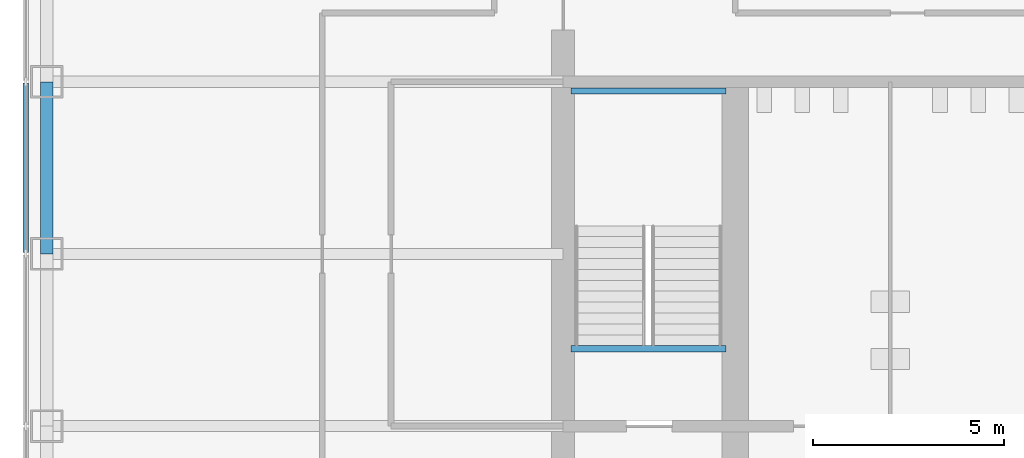
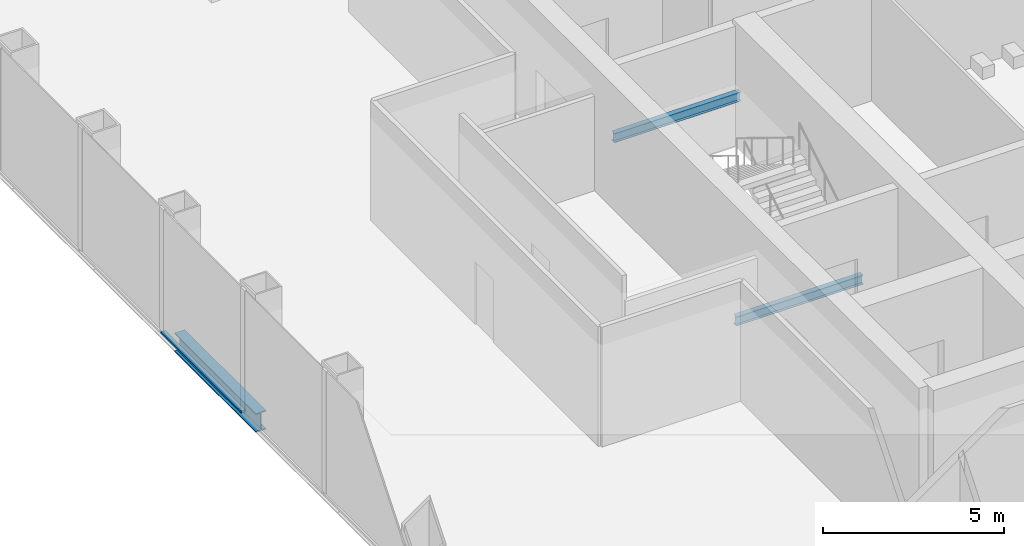
# One storey, part 3 of 12: 3 beams, 1 member, 1 element without a shape of its own.
"""IFC4 building model written with IfcOpenShell, lengths in metres."""

from ifc_helpers import new_model, si_unit, direction, frame, origin, origin_2d, place, context, subcontext, project, spatial, rectangle, i_section, extrude, material, material_profile, profile_set, type_object, element, aggregate, save


model = new_model("IFC4")

# Units and contexts
model_context = context("Model", 3, precision=1e-05, world=origin(), true_north=direction((0.0, 1.0)))
body_context = subcontext(model_context, "Body", "Model", "MODEL_VIEW")
ifc_project = project(units=[si_unit("LENGTHUNIT", "METRE"), si_unit("AREAUNIT", "SQUARE_METRE"), si_unit("VOLUMEUNIT", "CUBIC_METRE"), si_unit("PLANEANGLEUNIT", "RADIAN"), si_unit("MASSUNIT", "GRAM", prefix="KILO")], contexts=[model_context])

# Site, building, storey
site_placement = place(None, origin())
site = spatial("IfcSite", under=ifc_project, at=site_placement, CompositionType="ELEMENT")
building_placement = place(site_placement, origin())
building = spatial("IfcBuilding", under=site, at=building_placement, Name="Corais Broadcast Tower", CompositionType="ELEMENT")
storey_placement = place(building_placement, frame((0.0, 0.0, 33.199951171875)))
storey = spatial("IfcBuildingStorey", under=building, at=storey_placement, Name="L06", CompositionType="ELEMENT", Elevation=33.199951171875)

# Beams
ifc_material_1 = material(Name="Steel ASTM A572 Grade 50", Category="steel")
ifc_material_profile_1 = material_profile(ifc_material_1, i_section(OverallWidth=0.1650390625, OverallDepth=0.31005859375, WebThickness=0.005859375, FlangeThickness=0.009765625, at=origin_2d()), Name="W310x38.7")
ifc_profile_set_1 = profile_set([ifc_material_profile_1], Name="Steel ASTM A572 Grade 50")
beam_type_1 = type_object("IfcBeamType", Name="Landing trimmer W310x38.7", PredefinedType="BEAM", material=ifc_profile_set_1)
for number, where, z_axis, x_axis, name in (
    (1, (13.699951171875, 24.52490234375, -0.35498046875), (1.0, 0.0, 0.0), (0.0, 1.0, 0.0), "LT1 stair A landing trimmer L06"),
    (2, (13.699951171875, 31.260009765625, 1.7451171875), (1.0, 0.0, 0.0), (0.0, 1.0, 0.0), "LT1 stair A half landing trimmer L06"),
):
    element("IfcBeam", number, at=place(storey_placement, frame(where, z_axis=z_axis, x_axis=x_axis)), inside=storey, type_object=beam_type_1, Name=name, PredefinedType="BEAM", context=body_context, shape_type="SweptSolid", body=[
        extrude(i_section(OverallWidth=0.1650390625, OverallDepth=0.31005859375, WebThickness=0.005859375, FlangeThickness=0.009765625, at=origin_2d()), origin(), (0.0, 0.0, 1.0), 4.050048828125),
    ])
ifc_material_2 = material(Name="Steel ASTM A572 Grade 50", Category="steel")
ifc_material_profile_2 = material_profile(ifc_material_2, i_section(OverallWidth=0.3291015625, OverallDepth=0.635009765625, WebThickness=0.017822265625, FlangeThickness=0.031005859375, at=origin_2d()), Name="W610x241")
ifc_profile_set_2 = profile_set([ifc_material_profile_2], Name="Steel ASTM A572 Grade 50")
beam_type_2 = type_object("IfcBeamType", Name="Spandrel W610x241", PredefinedType="BEAM", material=ifc_profile_set_2)
beam_placement = place(storey_placement, frame((0.0, 31.5, -0.4775390625), z_axis=(0.0, -1.0, 0.0), x_axis=(1.0, 0.0, 0.0)))
element("IfcBeam", 3, at=beam_placement, inside=storey, type_object=beam_type_2, Name="SB1 H/3 to G/3", PredefinedType="BEAM", context=body_context, shape_type="SweptSolid", body=[
    extrude(i_section(OverallWidth=0.3291015625, OverallDepth=0.635009765625, WebThickness=0.017822265625, FlangeThickness=0.031005859375, at=origin_2d()), origin(), (0.0, 0.0, 1.0), 4.5),
])

# Curtain wall, member
ifc_material_3 = material(Name="Aluminium and glass", Category="aluminium")
curtain_wall_type = type_object("IfcCurtainWallType", Name="Newsroom clear-glass curtain wall CW7", PredefinedType="NOTDEFINED", material=ifc_material_3)
curtain_wall_placement = place(storey_placement, origin())
curtain_wall = element("IfcCurtainWall", 4, at=curtain_wall_placement, inside=storey, type_object=curtain_wall_type, Name="CW7 curtain wall L06 2", PredefinedType="NOTDEFINED")
ifc_material_4 = material(Name="Aluminium 6063-T6", Category="aluminium")
ifc_material_profile_3 = material_profile(ifc_material_4, rectangle(XDim=0.14990234375, YDim=0.06494140625, at=origin_2d()), Name="Transom CW7 65x150")
ifc_profile_set_3 = profile_set([ifc_material_profile_3], Name="Aluminium 6063-T6")
member_type = type_object("IfcMemberType", Name="Transom CW7 65x150", PredefinedType="USERDEFINED", material=ifc_profile_set_3)
member_placement = place(storey_placement, frame((-0.550048828125, 27.032470703125, 0.032470703125), z_axis=(0.0, 1.0, 0.0), x_axis=(-1.0, 0.0, 0.0)))
member = element("IfcMember", 5, at=member_placement, type_object=member_type, Name="CW7 transom 6.1", ObjectType="TRANSOM", PredefinedType="USERDEFINED", context=body_context, shape_type="SweptSolid", body=[
    extrude(rectangle(XDim=0.14990234375, YDim=0.06494140625, at=origin_2d()), origin(), (0.0, 0.0, 1.0), 4.43505859375),
])
aggregate(curtain_wall, [member])

save(model, "model.ifc")
